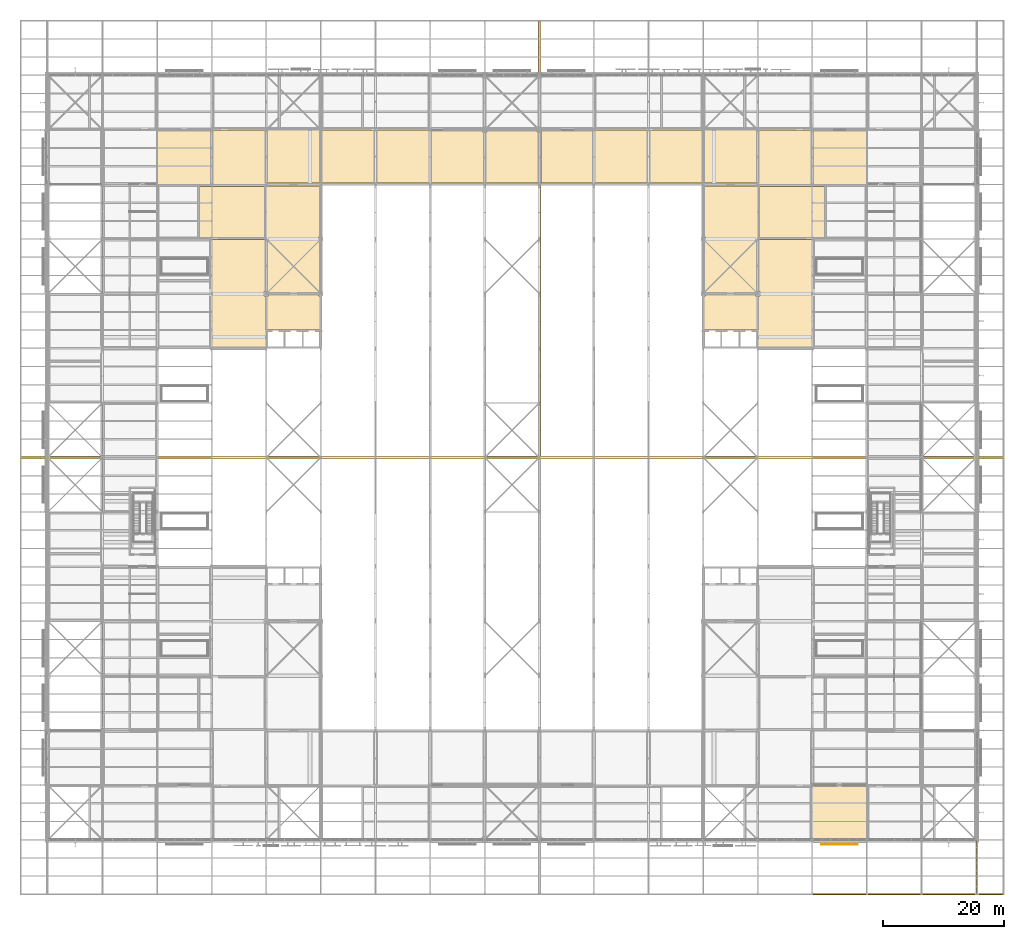
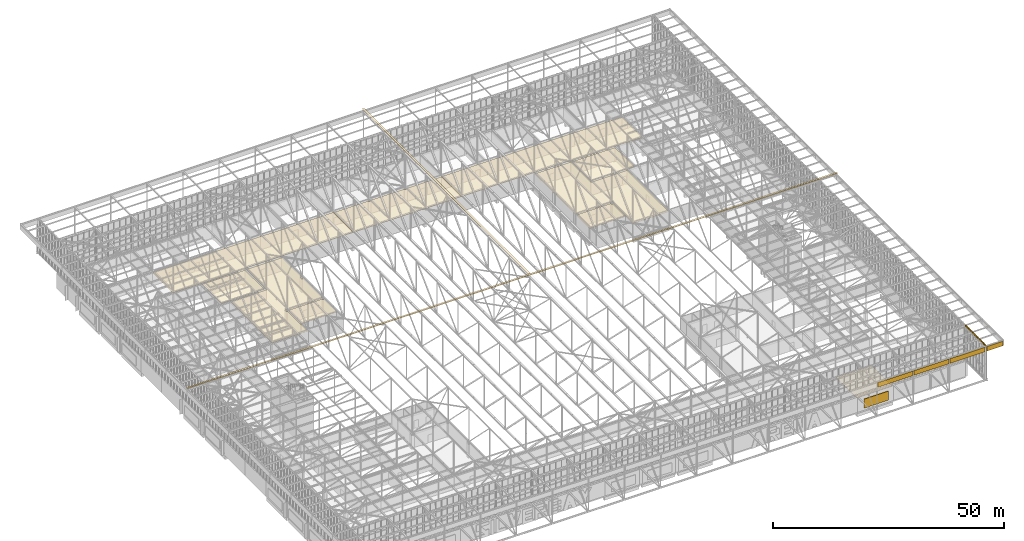
# One storey, part 636 of 646: 19 coverings, 1 shading device.
"""IFC4 building model written with IfcOpenShell, lengths in metres."""

from ifc_helpers import new_model, si_unit, direction, frame, origin, origin_2d, place, context, subcontext, project, spatial, polyline, rectangle, outline, extrude, material, layer, layer_set, type_object, element, save


model = new_model("IFC4")

# Units and contexts
model_context = context("Model", 3, precision=1e-05, world=origin(), true_north=direction((0.0, 1.0)))
body_context = subcontext(model_context, "Body", "Model", "MODEL_VIEW")
ifc_project = project(units=[si_unit("LENGTHUNIT", "METRE"), si_unit("AREAUNIT", "SQUARE_METRE"), si_unit("VOLUMEUNIT", "CUBIC_METRE"), si_unit("PLANEANGLEUNIT", "RADIAN"), si_unit("MASSUNIT", "GRAM", prefix="KILO")], contexts=[model_context])

# Site, building, storey
site_placement = place(None, origin())
site = spatial("IfcSite", under=ifc_project, at=site_placement, CompositionType="ELEMENT")
building_placement = place(site_placement, origin())
building = spatial("IfcBuilding", under=site, at=building_placement, Name="Silverbay Arena", CompositionType="ELEMENT")
storey_placement = place(building_placement, frame((0.0, 0.0, 33.5)))
storey = spatial("IfcBuildingStorey", under=building, at=storey_placement, Name="L05", CompositionType="ELEMENT", Elevation=33.5)

# Coverings
ifc_material_1 = material(Name="Fire-resisting board ceiling")
ifc_layer_1 = layer(ifc_material_1, 0.050048828125)
ifc_layer_set_1 = layer_set([ifc_layer_1], Name="Fire-resisting board ceiling")
covering_type_1 = type_object("IfcCoveringType", Name="Fire-resisting ceiling EI 120", PredefinedType="CEILING", material=ifc_layer_set_1)
covering_1_placement = place(storey_placement, frame((0.0, 0.0, 3.5)))
element("IfcCovering", 1, at=covering_1_placement, inside=storey, type_object=covering_type_1, Name="Fire-resisting ceiling 04", PredefinedType="CEILING", context=body_context, shape_type="SweptSolid", body=[
    extrude(outline(polyline([(72.0400390625, 126.0), (89.947998046875, 126.0), (89.947998046875, 126.22998046875), (117.02001953125, 126.22998046875), (117.02001953125, 134.89990234375), (117.0, 134.89990234375), (117.0, 134.969970703125), (81.0, 134.969970703125), (81.0, 134.89990234375), (71.97998046875, 134.89990234375), (71.97998046875, 126.22998046875), (72.0400390625, 126.22998046875), (72.0400390625, 126.0)])), origin(), (0.0, 0.0, 1.0), 0.050048828125),
])
covering_2_placement = place(storey_placement, frame((0.0, 0.0, 3.5)))
element("IfcCovering", 2, at=covering_2_placement, inside=storey, type_object=covering_type_1, Name="Fire-resisting ceiling 05", PredefinedType="CEILING", context=body_context, shape_type="SweptSolid", body=[
    extrude(outline(polyline([(117.02001953125, 134.89990234375), (117.02001953125, 126.22998046875), (144.02001953125, 126.22998046875), (144.02001953125, 134.89990234375), (135.360107421875, 134.89990234375), (135.360107421875, 134.639892578125), (134.639892578125, 134.639892578125), (134.639892578125, 134.89990234375), (126.360107421875, 134.89990234375), (126.360107421875, 134.639892578125), (125.639892578125, 134.639892578125), (125.639892578125, 134.89990234375), (117.02001953125, 134.89990234375)])), origin(), (0.0, 0.0, 1.0), 0.050048828125),
])
covering_3_placement = place(storey_placement, frame((0.0, 0.0, 3.5)))
element("IfcCovering", 3, at=covering_3_placement, inside=storey, type_object=covering_type_1, Name="Fire-resisting ceiling 06", PredefinedType="CEILING", context=body_context, shape_type="SweptSolid", body=[
    extrude(outline(polyline([(171.052001953125, 126.0), (188.9599609375, 126.0), (188.9599609375, 126.22998046875), (189.02001953125, 126.22998046875), (189.02001953125, 134.89990234375), (180.0, 134.89990234375), (180.0, 134.969970703125), (144.0, 134.969970703125), (144.0, 134.89990234375), (144.02001953125, 134.89990234375), (144.02001953125, 126.22998046875), (171.052001953125, 126.22998046875), (171.052001953125, 126.0)])), origin(), (0.0, 0.0, 1.0), 0.050048828125),
])
covering_4_placement = place(storey_placement, frame((0.0, 0.0, 3.5)))
element("IfcCovering", 4, at=covering_4_placement, inside=storey, type_object=covering_type_1, Name="Fire-resisting ceiling 19", PredefinedType="CEILING", context=body_context, shape_type="SweptSolid", body=[
    extrude(outline(polyline([(180.06005859375, 17.800048828125), (188.93994140625, 17.800048828125), (188.93994140625, 17.97998046875), (188.969970703125, 17.97998046875), (188.969970703125, 26.925048828125), (180.030029296875, 26.925048828125), (180.030029296875, 17.97998046875), (180.06005859375, 17.97998046875), (180.06005859375, 17.800048828125)])), origin(), (0.0, 0.0, 1.0), 0.050048828125),
])
covering_5_placement = place(storey_placement, frame((0.0, 0.0, 3.5)))
element("IfcCovering", 5, at=covering_5_placement, inside=storey, type_object=covering_type_1, Name="Fire-resisting ceiling 39", PredefinedType="CEILING", context=body_context, shape_type="SweptSolid", body=[
    extrude(outline(polyline([(98.639892578125, 117.360107421875), (99.02001953125, 117.360107421875), (99.02001953125, 125.77001953125), (90.030029296875, 125.77001953125), (90.030029296875, 116.969970703125), (81.030029296875, 116.969970703125), (81.030029296875, 98.97998046875), (89.969970703125, 98.97998046875), (89.969970703125, 102.0), (89.89990234375, 102.0), (89.89990234375, 107.639892578125), (89.639892578125, 107.639892578125), (89.639892578125, 108.360107421875), (90.360107421875, 108.360107421875), (90.360107421875, 108.10009765625), (98.639892578125, 108.10009765625), (98.639892578125, 108.360107421875), (99.02001953125, 108.360107421875), (99.02001953125, 116.639892578125), (98.639892578125, 116.639892578125), (98.639892578125, 117.360107421875)])), origin(), (0.0, 0.0, 1.0), 0.050048828125),
])
covering_6_placement = place(storey_placement, frame((0.0, 0.0, 3.5)))
element("IfcCovering", 6, at=covering_6_placement, inside=storey, type_object=covering_type_1, Name="Fire-resisting ceiling 40", PredefinedType="CEILING", context=body_context, shape_type="SweptSolid", body=[
    extrude(outline(polyline([(90.10009765625, 102.030029296875), (99.02001953125, 102.030029296875), (99.02001953125, 107.639892578125), (98.639892578125, 107.639892578125), (98.639892578125, 107.89990234375), (90.360107421875, 107.89990234375), (90.360107421875, 107.639892578125), (90.10009765625, 107.639892578125), (90.10009765625, 102.030029296875)])), origin(), (0.0, 0.0, 1.0), 0.050048828125),
])
covering_7_placement = place(storey_placement, frame((0.0, 0.0, 3.5)))
element("IfcCovering", 7, at=covering_7_placement, inside=storey, type_object=covering_type_1, Name="Fire-resisting ceiling 41", PredefinedType="CEILING", context=body_context, shape_type="SweptSolid", body=[
    extrude(outline(polyline([(171.030029296875, 102.0), (171.030029296875, 98.97998046875), (179.969970703125, 98.97998046875), (179.969970703125, 116.969970703125), (170.969970703125, 116.969970703125), (170.969970703125, 125.77001953125), (161.97998046875, 125.77001953125), (161.97998046875, 117.360107421875), (162.360107421875, 117.360107421875), (162.360107421875, 116.639892578125), (161.97998046875, 116.639892578125), (161.97998046875, 108.360107421875), (162.360107421875, 108.360107421875), (162.360107421875, 108.10009765625), (170.639892578125, 108.10009765625), (170.639892578125, 108.360107421875), (171.360107421875, 108.360107421875), (171.360107421875, 107.639892578125), (171.10009765625, 107.639892578125), (171.10009765625, 102.0), (171.030029296875, 102.0)])), origin(), (0.0, 0.0, 1.0), 0.050048828125),
])
covering_8_placement = place(storey_placement, frame((0.0, 0.0, 3.5)))
element("IfcCovering", 8, at=covering_8_placement, inside=storey, type_object=covering_type_1, Name="Fire-resisting ceiling 42", PredefinedType="CEILING", context=body_context, shape_type="SweptSolid", body=[
    extrude(outline(polyline([(162.360107421875, 107.639892578125), (161.97998046875, 107.639892578125), (161.97998046875, 102.030029296875), (170.89990234375, 102.030029296875), (170.89990234375, 107.639892578125), (170.639892578125, 107.639892578125), (170.639892578125, 107.89990234375), (162.360107421875, 107.89990234375), (162.360107421875, 107.639892578125)])), origin(), (0.0, 0.0, 1.0), 0.050048828125),
])
covering_9_placement = place(storey_placement, frame((0.0, 0.0, 3.5)))
element("IfcCovering", 9, at=covering_9_placement, inside=storey, type_object=covering_type_1, Name="Fire-resisting ceiling 77", PredefinedType="CEILING", context=body_context, shape_type="SweptSolid", body=[
    extrude(outline(polyline([(89.699951171875, 117.300048828125), (89.699951171875, 125.699951171875), (79.0, 125.699951171875), (79.0, 117.300048828125), (89.699951171875, 117.300048828125)])), origin(), (0.0, 0.0, 1.0), 0.050048828125),
])
covering_10_placement = place(storey_placement, frame((0.0, 0.0, 3.5)))
element("IfcCovering", 10, at=covering_10_placement, inside=storey, type_object=covering_type_1, Name="Fire-resisting ceiling 81", PredefinedType="CEILING", context=body_context, shape_type="SweptSolid", body=[
    extrude(outline(polyline([(171.300048828125, 117.300048828125), (182.0, 117.300048828125), (182.0, 125.699951171875), (171.300048828125, 125.699951171875), (171.300048828125, 117.300048828125)])), origin(), (0.0, 0.0, 1.0), 0.050048828125),
])
ifc_material_2 = material(Name="Insulated metal cladding panel")
ifc_layer_2 = layer(ifc_material_2, 0.199951171875)
ifc_layer_set_2 = layer_set([ifc_layer_2], Name="Insulated metal cladding panel")
covering_type_2 = type_object("IfcCoveringType", Name="Gable head closer 200", PredefinedType="CLADDING", material=ifc_layer_set_2)
covering_11_placement = place(storey_placement, frame((0.0, 0.0, 13.0)))
element("IfcCovering", 11, at=covering_11_placement, inside=storey, type_object=covering_type_2, Name="ROOF GABLE HEAD CLOSER east 01", PredefinedType="CLADDING", context=body_context, shape_type="SweptSolid", body=[
    extrude(outline(polyline([(207.110107421875, 9.10009765625), (207.31005859375, 9.10009765625), (207.31005859375, 11.89990234375), (207.110107421875, 11.89990234375), (207.110107421875, 9.10009765625)])), origin(), (0.0, 0.0, 1.0), 0.300048828125),
])
covering_12_placement = place(storey_placement, frame((0.0, 0.0, 13.0)))
element("IfcCovering", 12, at=covering_12_placement, inside=storey, type_object=covering_type_2, Name="ROOF GABLE HEAD CLOSER east 02", PredefinedType="CLADDING", context=body_context, shape_type="SweptSolid", body=[
    extrude(outline(polyline([(207.110107421875, 12.10009765625), (207.31005859375, 12.10009765625), (207.31005859375, 14.89990234375), (207.110107421875, 14.89990234375), (207.110107421875, 12.10009765625)])), origin(), (0.0, 0.0, 1.0), 0.300048828125),
])
covering_13_placement = place(storey_placement, frame((0.0, 0.0, 13.0)))
element("IfcCovering", 13, at=covering_13_placement, inside=storey, type_object=covering_type_2, Name="ROOF GABLE HEAD CLOSER east 03", PredefinedType="CLADDING", context=body_context, shape_type="SweptSolid", body=[
    extrude(outline(polyline([(207.110107421875, 15.10009765625), (207.31005859375, 15.10009765625), (207.31005859375, 17.89990234375), (207.110107421875, 17.89990234375), (207.110107421875, 15.10009765625)])), origin(), (0.0, 0.0, 1.0), 0.300048828125),
])

# Shading device
ifc_material_3 = material(Name="Aluminium", Category="aluminium")
shading_device_type = type_object("IfcShadingDeviceType", Name="Louvre screen 6000 x 2400", PredefinedType="JALOUSIE", material=ifc_material_3)
shading_device_placement = place(storey_placement, frame((184.5, 17.22509765625, 0.800048828125), z_axis=(0.0, 0.0, 1.0), x_axis=(1.0, 0.0, 0.0)))
element("IfcShadingDevice", 14, at=shading_device_placement, inside=storey, type_object=shading_device_type, Name="South plant louvre L05 bay 15", PredefinedType="JALOUSIE", context=body_context, shape_type="SweptSolid", body=[
    extrude(rectangle(XDim=6.0, YDim=0.14990234375, at=origin_2d()), origin(), (0.0, 0.0, 1.0), 2.39990234375),
])

# Coverings
ifc_material_4 = material(Name="Insulated metal cladding panel")
ifc_layer_3 = layer(ifc_material_4, 0.199951171875)
ifc_layer_set_3 = layer_set([ifc_layer_3], Name="Insulated metal cladding panel")
covering_type_3 = type_object("IfcCoveringType", Name="Roof edge fascia 200", PredefinedType="CLADDING", material=ifc_layer_set_3)
covering_14_placement = place(storey_placement, frame((0.0, 0.0, 11.800048828125)))
element("IfcCovering", 15, at=covering_14_placement, inside=storey, type_object=covering_type_3, Name="ROOF EDGE FASCIA south bay 15", PredefinedType="CLADDING", context=body_context, shape_type="SweptSolid", body=[
    extrude(outline(polyline([(180.127197265625, 8.89990234375), (188.872802734375, 8.89990234375), (188.872802734375, 9.10009765625), (180.127197265625, 9.10009765625), (180.127197265625, 8.89990234375)])), origin(), (0.0, 0.0, 1.0), 1.199951171875),
])
covering_15_placement = place(storey_placement, frame((0.0, 0.0, 11.800048828125)))
element("IfcCovering", 16, at=covering_15_placement, inside=storey, type_object=covering_type_3, Name="ROOF EDGE FASCIA south bay 16", PredefinedType="CLADDING", context=body_context, shape_type="SweptSolid", body=[
    extrude(outline(polyline([(189.127197265625, 8.89990234375), (197.872802734375, 8.89990234375), (197.872802734375, 9.10009765625), (189.127197265625, 9.10009765625), (189.127197265625, 8.89990234375)])), origin(), (0.0, 0.0, 1.0), 1.199951171875),
])
covering_16_placement = place(storey_placement, frame((0.0, 0.0, 11.800048828125)))
element("IfcCovering", 17, at=covering_16_placement, inside=storey, type_object=covering_type_3, Name="ROOF EDGE FASCIA south bay 17", PredefinedType="CLADDING", context=body_context, shape_type="SweptSolid", body=[
    extrude(outline(polyline([(198.127197265625, 8.89990234375), (206.872802734375, 8.89990234375), (206.872802734375, 9.10009765625), (198.127197265625, 9.10009765625), (198.127197265625, 8.89990234375)])), origin(), (0.0, 0.0, 1.0), 1.199951171875),
])
covering_17_placement = place(storey_placement, frame((0.0, 0.0, 11.800048828125)))
element("IfcCovering", 18, at=covering_17_placement, inside=storey, type_object=covering_type_3, Name="ROOF EDGE FASCIA south east return", PredefinedType="CLADDING", context=body_context, shape_type="SweptSolid", body=[
    extrude(outline(polyline([(207.31005859375, 8.89990234375), (211.39990234375, 8.89990234375), (211.39990234375, 9.10009765625), (207.31005859375, 9.10009765625), (207.31005859375, 8.89990234375)])), origin(), (0.0, 0.0, 1.0), 1.199951171875),
])
ifc_material_5 = material(Name="Aluminium", Category="aluminium")
ifc_layer_4 = layer(ifc_material_5, 0.050048828125)
ifc_layer_set_4 = layer_set([ifc_layer_4], Name="Aluminium")
covering_type_4 = type_object("IfcCoveringType", Name="Roof movement joint cover 500", PredefinedType="CLADDING", material=ifc_layer_set_4)
covering_18_placement = place(storey_placement, frame((0.0, 0.0, 13.64990234375)))
element("IfcCovering", 19, at=covering_18_placement, inside=storey, type_object=covering_type_4, Name="ROOF MOVEMENT JOINT COVER at mid-span", PredefinedType="CLADDING", context=body_context, shape_type="SweptSolid", body=[
    extrude(outline(polyline([(49.39990234375, 80.75), (211.60009765625, 80.75), (211.60009765625, 81.25), (49.39990234375, 81.25), (49.39990234375, 80.75)])), origin(), (0.0, 0.0, 1.0), 0.050048828125),
])
covering_19_placement = place(storey_placement, frame((0.0, 0.0, 13.64990234375)))
element("IfcCovering", 20, at=covering_19_placement, inside=storey, type_object=covering_type_4, Name="ROOF MOVEMENT JOINT COVER on the middle truss line north", PredefinedType="CLADDING", context=body_context, shape_type="SweptSolid", body=[
    extrude(outline(polyline([(134.75, 81.25), (135.25, 81.25), (135.25, 153.10009765625), (134.75, 153.10009765625), (134.75, 81.25)])), origin(), (0.0, 0.0, 1.0), 0.050048828125),
])

save(model, "model.ifc")
